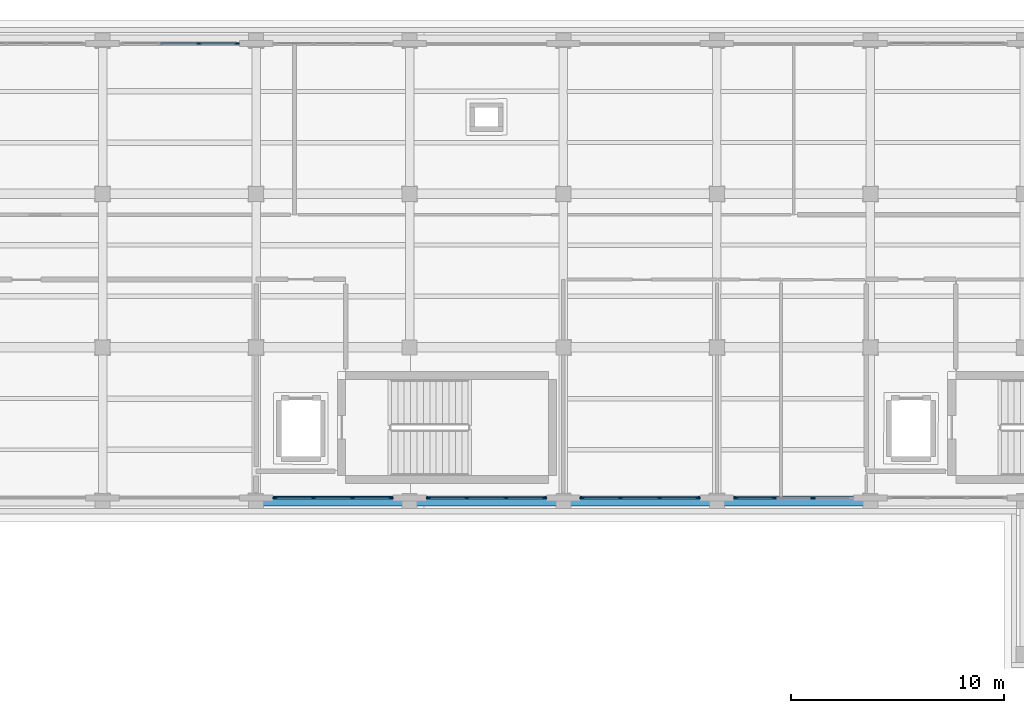
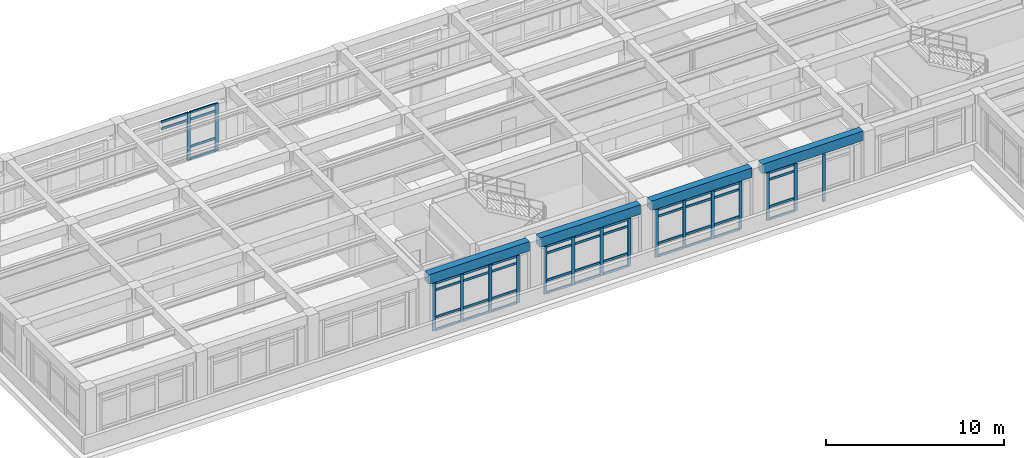
# One storey, part 24 of 64: 63 members, 4 beams, 5 elements without a shape of their own.
"""IFC4 building model written with IfcOpenShell, lengths in metres."""

from ifc_helpers import new_model, si_unit, direction, frame, origin, origin_2d, place, context, subcontext, project, spatial, rectangle, extrude, material, layer, layer_set, material_profile, profile_set, type_object, element, aggregate, save


model = new_model("IFC4")

# Units and contexts
model_context = context("Model", 3, precision=1e-05, world=origin(), true_north=direction((0.0, 1.0)))
body_context = subcontext(model_context, "Body", "Model", "MODEL_VIEW")
ifc_project = project(units=[si_unit("LENGTHUNIT", "METRE"), si_unit("AREAUNIT", "SQUARE_METRE"), si_unit("VOLUMEUNIT", "CUBIC_METRE"), si_unit("PLANEANGLEUNIT", "RADIAN"), si_unit("MASSUNIT", "GRAM", prefix="KILO")], contexts=[model_context])

# Site, building, storey
site_placement = place(None, origin())
site = spatial("IfcSite", under=ifc_project, at=site_placement, CompositionType="ELEMENT")
building_placement = place(site_placement, origin())
building = spatial("IfcBuilding", under=site, at=building_placement, Name="Solenvale Faculty of Natural Sciences", CompositionType="ELEMENT")
storey_placement = place(building_placement, frame((0.0, 0.0, 18.0)))
storey = spatial("IfcBuildingStorey", under=building, at=storey_placement, Name="L04", CompositionType="ELEMENT", Elevation=18.0)

# Beams
ifc_material_1 = material(Name="Concrete 40 MPa", Category="concrete")
ifc_material_profile_1 = material_profile(ifc_material_1, rectangle(XDim=0.449951171875, YDim=0.64990234375, at=origin_2d()), Name="RC-BM-450x650")
ifc_profile_set_1 = profile_set([ifc_material_profile_1], Name="Concrete 40 MPa")
beam_type = type_object("IfcBeamType", Name="BM-RC-450x650", PredefinedType="BEAM", material=ifc_profile_set_1)
for number, where, z_axis, x_axis, name in (
    (1, (101.1298828125, 93.60009765625, 3.89501953125), (1.0, 0.0, 0.0), (0.0, 1.0, 0.0), "L04 X-Girder Y93.6 (100.8..108.0)"),
    (2, (108.330078125, 93.60009765625, 3.89501953125), (1.0, 0.0, 0.0), (0.0, 1.0, 0.0), "L04 X-Girder Y93.6 (108.0..115.2)"),
    (3, (115.530029296875, 93.60009765625, 3.89501953125), (1.0, 0.0, 0.0), (0.0, 1.0, 0.0), "L04 X-Girder Y93.6 (115.2..122.4)"),
    (4, (122.72998046875, 93.60009765625, 3.89501953125), (1.0, 0.0, 0.0), (0.0, 1.0, 0.0), "L04 X-Girder Y93.6 (122.4..129.6)"),
):
    element("IfcBeam", number, at=place(storey_placement, frame(where, z_axis=z_axis, x_axis=x_axis)), inside=storey, type_object=beam_type, Name=name, PredefinedType="BEAM", context=body_context, shape_type="SweptSolid", body=[
        extrude(rectangle(XDim=0.449951171875, YDim=0.64990234375, at=origin_2d()), origin(), (0.0, 0.0, 1.0), 6.5400390625),
    ])

# Curtain wall, members
ifc_material_2 = material(Name="Anodised bronze aluminium", Category="aluminium")
ifc_layer = layer(ifc_material_2, 0.179931640625)
ifc_layer_set = layer_set([ifc_layer], Name="Anodised bronze aluminium")
curtain_wall_type = type_object("IfcCurtainWallType", Name="CW-TWR-MOD", PredefinedType="USERDEFINED", material=ifc_layer_set)
curtain_wall_1_placement = place(storey_placement, origin())
curtain_wall_1 = element("IfcCurtainWall", 5, at=curtain_wall_1_placement, inside=storey, type_object=curtain_wall_type, Name="L04 Curtain Wall CW-L04-P3-E4-B8", ObjectType="UNITISED CURTAIN WALL", PredefinedType="USERDEFINED")
ifc_material_profile_2 = material_profile(ifc_material_2, rectangle(XDim=0.074951171875, YDim=0.2099609375, at=origin_2d()), Name="ALU-MUL-75x210")
ifc_profile_set_2 = profile_set([ifc_material_profile_2], Name="Anodised bronze aluminium")
member_type_1 = type_object("IfcMemberType", Name="CWM-ALU-75x210", PredefinedType="MULLION", material=ifc_profile_set_2)
member_1_placement = place(storey_placement, frame((99.91259765625, 115.0576171875, 0.0), z_axis=(0.0, 0.0, 1.0), x_axis=(0.0, -1.0, 0.0)))
member_1 = element("IfcMember", 6, at=member_1_placement, type_object=member_type_1, Name="CW-04 mullion 1", PredefinedType="MULLION", context=body_context, shape_type="SweptSolid", body=[
    extrude(rectangle(XDim=0.074951171875, YDim=0.2099609375, at=origin_2d()), origin(), (0.0, 0.0, 1.0), 3.260009765625),
])
member_2_placement = place(storey_placement, frame((98.11669921875, 115.0576171875, 0.0), z_axis=(0.0, 0.0, 1.0), x_axis=(0.0, -1.0, 0.0)))
member_2 = element("IfcMember", 7, at=member_2_placement, type_object=member_type_1, Name="CW-04 mullion 2", PredefinedType="MULLION", context=body_context, shape_type="SweptSolid", body=[
    extrude(rectangle(XDim=0.074951171875, YDim=0.2099609375, at=origin_2d()), origin(), (0.0, 0.0, 1.0), 3.260009765625),
])

curtain_wall_2_placement = place(storey_placement, origin())
curtain_wall_2 = element("IfcCurtainWall", 8, at=curtain_wall_2_placement, inside=storey, type_object=curtain_wall_type, Name="L04 Curtain Wall CW-L04-P3-E6-B4", ObjectType="UNITISED CURTAIN WALL", PredefinedType="USERDEFINED")
member_3_placement = place(storey_placement, frame((101.6875, 93.742431640625, 0.0), z_axis=(0.0, 0.0, 1.0), x_axis=(0.0, 1.0, 0.0)))
member_3 = element("IfcMember", 9, at=member_3_placement, type_object=member_type_1, Name="CW-04 mullion 1", PredefinedType="MULLION", context=body_context, shape_type="SweptSolid", body=[
    extrude(rectangle(XDim=0.074951171875, YDim=0.2099609375, at=origin_2d()), origin(), (0.0, 0.0, 1.0), 3.260009765625),
])
member_4_placement = place(storey_placement, frame((103.4833984375, 93.742431640625, 0.0), z_axis=(0.0, 0.0, 1.0), x_axis=(0.0, 1.0, 0.0)))
member_4 = element("IfcMember", 10, at=member_4_placement, type_object=member_type_1, Name="CW-04 mullion 2", PredefinedType="MULLION", context=body_context, shape_type="SweptSolid", body=[
    extrude(rectangle(XDim=0.074951171875, YDim=0.2099609375, at=origin_2d()), origin(), (0.0, 0.0, 1.0), 3.260009765625),
])
member_5_placement = place(storey_placement, frame((105.316650390625, 93.742431640625, 0.0), z_axis=(0.0, 0.0, 1.0), x_axis=(0.0, 1.0, 0.0)))
member_5 = element("IfcMember", 11, at=member_5_placement, type_object=member_type_1, Name="CW-04 mullion 3", PredefinedType="MULLION", context=body_context, shape_type="SweptSolid", body=[
    extrude(rectangle(XDim=0.074951171875, YDim=0.2099609375, at=origin_2d()), origin(), (0.0, 0.0, 1.0), 3.260009765625),
])
member_6_placement = place(storey_placement, frame((107.112548828125, 93.742431640625, 0.0), z_axis=(0.0, 0.0, 1.0), x_axis=(0.0, 1.0, 0.0)))
member_6 = element("IfcMember", 12, at=member_6_placement, type_object=member_type_1, Name="CW-04 mullion 4", PredefinedType="MULLION", context=body_context, shape_type="SweptSolid", body=[
    extrude(rectangle(XDim=0.074951171875, YDim=0.2099609375, at=origin_2d()), origin(), (0.0, 0.0, 1.0), 3.260009765625),
])

curtain_wall_3_placement = place(storey_placement, origin())
curtain_wall_3 = element("IfcCurtainWall", 13, at=curtain_wall_3_placement, inside=storey, type_object=curtain_wall_type, Name="L04 Curtain Wall CW-L04-P3-E6-B5", ObjectType="UNITISED CURTAIN WALL", PredefinedType="USERDEFINED")
member_7_placement = place(storey_placement, frame((108.887451171875, 93.742431640625, 0.0), z_axis=(0.0, 0.0, 1.0), x_axis=(0.0, 1.0, 0.0)))
member_7 = element("IfcMember", 14, at=member_7_placement, type_object=member_type_1, Name="CW-04 mullion 1", PredefinedType="MULLION", context=body_context, shape_type="SweptSolid", body=[
    extrude(rectangle(XDim=0.074951171875, YDim=0.2099609375, at=origin_2d()), origin(), (0.0, 0.0, 1.0), 3.260009765625),
])
member_8_placement = place(storey_placement, frame((110.683349609375, 93.742431640625, 0.0), z_axis=(0.0, 0.0, 1.0), x_axis=(0.0, 1.0, 0.0)))
member_8 = element("IfcMember", 15, at=member_8_placement, type_object=member_type_1, Name="CW-04 mullion 2", PredefinedType="MULLION", context=body_context, shape_type="SweptSolid", body=[
    extrude(rectangle(XDim=0.074951171875, YDim=0.2099609375, at=origin_2d()), origin(), (0.0, 0.0, 1.0), 3.260009765625),
])
member_9_placement = place(storey_placement, frame((112.5166015625, 93.742431640625, 0.0), z_axis=(0.0, 0.0, 1.0), x_axis=(0.0, 1.0, 0.0)))
member_9 = element("IfcMember", 16, at=member_9_placement, type_object=member_type_1, Name="CW-04 mullion 3", PredefinedType="MULLION", context=body_context, shape_type="SweptSolid", body=[
    extrude(rectangle(XDim=0.074951171875, YDim=0.2099609375, at=origin_2d()), origin(), (0.0, 0.0, 1.0), 3.260009765625),
])
member_10_placement = place(storey_placement, frame((114.3125, 93.742431640625, 0.0), z_axis=(0.0, 0.0, 1.0), x_axis=(0.0, 1.0, 0.0)))
member_10 = element("IfcMember", 17, at=member_10_placement, type_object=member_type_1, Name="CW-04 mullion 4", PredefinedType="MULLION", context=body_context, shape_type="SweptSolid", body=[
    extrude(rectangle(XDim=0.074951171875, YDim=0.2099609375, at=origin_2d()), origin(), (0.0, 0.0, 1.0), 3.260009765625),
])

curtain_wall_4_placement = place(storey_placement, origin())
curtain_wall_4 = element("IfcCurtainWall", 18, at=curtain_wall_4_placement, inside=storey, type_object=curtain_wall_type, Name="L04 Curtain Wall CW-L04-P3-E6-B6", ObjectType="UNITISED CURTAIN WALL", PredefinedType="USERDEFINED")
member_11_placement = place(storey_placement, frame((116.08740234375, 93.742431640625, 0.0), z_axis=(0.0, 0.0, 1.0), x_axis=(0.0, 1.0, 0.0)))
member_11 = element("IfcMember", 19, at=member_11_placement, type_object=member_type_1, Name="CW-04 mullion 1", PredefinedType="MULLION", context=body_context, shape_type="SweptSolid", body=[
    extrude(rectangle(XDim=0.074951171875, YDim=0.2099609375, at=origin_2d()), origin(), (0.0, 0.0, 1.0), 3.260009765625),
])
member_12_placement = place(storey_placement, frame((117.88330078125, 93.742431640625, 0.0), z_axis=(0.0, 0.0, 1.0), x_axis=(0.0, 1.0, 0.0)))
member_12 = element("IfcMember", 20, at=member_12_placement, type_object=member_type_1, Name="CW-04 mullion 2", PredefinedType="MULLION", context=body_context, shape_type="SweptSolid", body=[
    extrude(rectangle(XDim=0.074951171875, YDim=0.2099609375, at=origin_2d()), origin(), (0.0, 0.0, 1.0), 3.260009765625),
])
member_13_placement = place(storey_placement, frame((119.716552734375, 93.742431640625, 0.0), z_axis=(0.0, 0.0, 1.0), x_axis=(0.0, 1.0, 0.0)))
member_13 = element("IfcMember", 21, at=member_13_placement, type_object=member_type_1, Name="CW-04 mullion 3", PredefinedType="MULLION", context=body_context, shape_type="SweptSolid", body=[
    extrude(rectangle(XDim=0.074951171875, YDim=0.2099609375, at=origin_2d()), origin(), (0.0, 0.0, 1.0), 3.260009765625),
])
member_14_placement = place(storey_placement, frame((121.512451171875, 93.742431640625, 0.0), z_axis=(0.0, 0.0, 1.0), x_axis=(0.0, 1.0, 0.0)))
member_14 = element("IfcMember", 22, at=member_14_placement, type_object=member_type_1, Name="CW-04 mullion 4", PredefinedType="MULLION", context=body_context, shape_type="SweptSolid", body=[
    extrude(rectangle(XDim=0.074951171875, YDim=0.2099609375, at=origin_2d()), origin(), (0.0, 0.0, 1.0), 3.260009765625),
])

curtain_wall_5_placement = place(storey_placement, origin())
curtain_wall_5 = element("IfcCurtainWall", 23, at=curtain_wall_5_placement, inside=storey, type_object=curtain_wall_type, Name="L04 Curtain Wall CW-L04-P3-E6-B7", ObjectType="UNITISED CURTAIN WALL", PredefinedType="USERDEFINED")
member_15_placement = place(storey_placement, frame((123.28759765625, 93.742431640625, 0.0), z_axis=(0.0, 0.0, 1.0), x_axis=(0.0, 1.0, 0.0)))
member_15 = element("IfcMember", 24, at=member_15_placement, type_object=member_type_1, Name="CW-04 mullion 1", PredefinedType="MULLION", context=body_context, shape_type="SweptSolid", body=[
    extrude(rectangle(XDim=0.074951171875, YDim=0.2099609375, at=origin_2d()), origin(), (0.0, 0.0, 1.0), 3.260009765625),
])
member_16_placement = place(storey_placement, frame((125.083251953125, 93.742431640625, 0.0), z_axis=(0.0, 0.0, 1.0), x_axis=(0.0, 1.0, 0.0)))
member_16 = element("IfcMember", 25, at=member_16_placement, type_object=member_type_1, Name="CW-04 mullion 2", PredefinedType="MULLION", context=body_context, shape_type="SweptSolid", body=[
    extrude(rectangle(XDim=0.074951171875, YDim=0.2099609375, at=origin_2d()), origin(), (0.0, 0.0, 1.0), 3.260009765625),
])
member_17_placement = place(storey_placement, frame((126.916748046875, 93.742431640625, 0.0), z_axis=(0.0, 0.0, 1.0), x_axis=(0.0, 1.0, 0.0)))
member_17 = element("IfcMember", 26, at=member_17_placement, type_object=member_type_1, Name="CW-04 mullion 3", PredefinedType="MULLION", context=body_context, shape_type="SweptSolid", body=[
    extrude(rectangle(XDim=0.074951171875, YDim=0.2099609375, at=origin_2d()), origin(), (0.0, 0.0, 1.0), 3.260009765625),
])

# Member
ifc_material_profile_3 = material_profile(ifc_material_2, rectangle(XDim=0.074951171875, YDim=0.155029296875, at=origin_2d()), Name="ALU-TRN-75x155")
ifc_profile_set_3 = profile_set([ifc_material_profile_3], Name="Anodised bronze aluminium")
member_type_2 = type_object("IfcMemberType", Name="CWT-ALU-75x155", PredefinedType="USERDEFINED", material=ifc_profile_set_3)
member_18_placement = place(storey_placement, frame((99.875, 115.0576171875, 0.03759765625), z_axis=(-1.0, 0.0, 0.0), x_axis=(0.0, -1.0, 0.0)))
member_18 = element("IfcMember", 27, at=member_18_placement, type_object=member_type_2, Name="CW-04 transom 1.1", ObjectType="TRANSOM", PredefinedType="USERDEFINED", context=body_context, shape_type="SweptSolid", body=[
    extrude(rectangle(XDim=0.074951171875, YDim=0.155029296875, at=origin_2d()), origin(), (0.0, 0.0, 1.0), 1.720947265625),
])

member_19_placement = place(storey_placement, frame((99.875, 115.0576171875, 0.89990234375), z_axis=(-1.0, 0.0, 0.0), x_axis=(0.0, -1.0, 0.0)))
member_19 = element("IfcMember", 28, at=member_19_placement, type_object=member_type_2, Name="CW-04 transom 1.2", ObjectType="TRANSOM", PredefinedType="USERDEFINED", context=body_context, shape_type="SweptSolid", body=[
    extrude(rectangle(XDim=0.074951171875, YDim=0.155029296875, at=origin_2d()), origin(), (0.0, 0.0, 1.0), 1.720947265625),
])

member_20_placement = place(storey_placement, frame((99.875, 115.0576171875, 2.760009765625), z_axis=(-1.0, 0.0, 0.0), x_axis=(0.0, -1.0, 0.0)))
member_20 = element("IfcMember", 29, at=member_20_placement, type_object=member_type_2, Name="CW-04 transom 1.3", ObjectType="TRANSOM", PredefinedType="USERDEFINED", context=body_context, shape_type="SweptSolid", body=[
    extrude(rectangle(XDim=0.074951171875, YDim=0.155029296875, at=origin_2d()), origin(), (0.0, 0.0, 1.0), 1.720947265625),
])

member_21_placement = place(storey_placement, frame((99.875, 115.0576171875, 3.222412109375), z_axis=(-1.0, 0.0, 0.0), x_axis=(0.0, -1.0, 0.0)))
member_21 = element("IfcMember", 30, at=member_21_placement, type_object=member_type_2, Name="CW-04 transom 1.4", ObjectType="TRANSOM", PredefinedType="USERDEFINED", context=body_context, shape_type="SweptSolid", body=[
    extrude(rectangle(XDim=0.074951171875, YDim=0.155029296875, at=origin_2d()), origin(), (0.0, 0.0, 1.0), 1.720947265625),
])

member_22_placement = place(storey_placement, frame((98.0791015625, 115.0576171875, 2.760009765625), z_axis=(-1.0, 0.0, 0.0), x_axis=(0.0, -1.0, 0.0)))
member_22 = element("IfcMember", 31, at=member_22_placement, type_object=member_type_2, Name="CW-04 transom 2.3", ObjectType="TRANSOM", PredefinedType="USERDEFINED", context=body_context, shape_type="SweptSolid", body=[
    extrude(rectangle(XDim=0.074951171875, YDim=0.155029296875, at=origin_2d()), origin(), (0.0, 0.0, 1.0), 1.75830078125),
])

member_23_placement = place(storey_placement, frame((98.0791015625, 115.0576171875, 3.222412109375), z_axis=(-1.0, 0.0, 0.0), x_axis=(0.0, -1.0, 0.0)))
member_23 = element("IfcMember", 32, at=member_23_placement, type_object=member_type_2, Name="CW-04 transom 2.4", ObjectType="TRANSOM", PredefinedType="USERDEFINED", context=body_context, shape_type="SweptSolid", body=[
    extrude(rectangle(XDim=0.074951171875, YDim=0.155029296875, at=origin_2d()), origin(), (0.0, 0.0, 1.0), 1.75830078125),
])

aggregate(curtain_wall_1, [member_1, member_2, member_18, member_19, member_20, member_21, member_22, member_23])

member_24_placement = place(storey_placement, frame((101.72509765625, 93.742431640625, 0.03759765625), z_axis=(1.0, 0.0, 0.0), x_axis=(0.0, 1.0, 0.0)))
member_24 = element("IfcMember", 33, at=member_24_placement, type_object=member_type_2, Name="CW-04 transom 1.1", ObjectType="TRANSOM", PredefinedType="USERDEFINED", context=body_context, shape_type="SweptSolid", body=[
    extrude(rectangle(XDim=0.074951171875, YDim=0.155029296875, at=origin_2d()), origin(), (0.0, 0.0, 1.0), 1.720703125),
])

member_25_placement = place(storey_placement, frame((101.72509765625, 93.742431640625, 0.89990234375), z_axis=(1.0, 0.0, 0.0), x_axis=(0.0, 1.0, 0.0)))
member_25 = element("IfcMember", 34, at=member_25_placement, type_object=member_type_2, Name="CW-04 transom 1.2", ObjectType="TRANSOM", PredefinedType="USERDEFINED", context=body_context, shape_type="SweptSolid", body=[
    extrude(rectangle(XDim=0.074951171875, YDim=0.155029296875, at=origin_2d()), origin(), (0.0, 0.0, 1.0), 1.720703125),
])

member_26_placement = place(storey_placement, frame((101.72509765625, 93.742431640625, 2.760009765625), z_axis=(1.0, 0.0, 0.0), x_axis=(0.0, 1.0, 0.0)))
member_26 = element("IfcMember", 35, at=member_26_placement, type_object=member_type_2, Name="CW-04 transom 1.3", ObjectType="TRANSOM", PredefinedType="USERDEFINED", context=body_context, shape_type="SweptSolid", body=[
    extrude(rectangle(XDim=0.074951171875, YDim=0.155029296875, at=origin_2d()), origin(), (0.0, 0.0, 1.0), 1.720703125),
])

member_27_placement = place(storey_placement, frame((101.72509765625, 93.742431640625, 3.222412109375), z_axis=(1.0, 0.0, 0.0), x_axis=(0.0, 1.0, 0.0)))
member_27 = element("IfcMember", 36, at=member_27_placement, type_object=member_type_2, Name="CW-04 transom 1.4", ObjectType="TRANSOM", PredefinedType="USERDEFINED", context=body_context, shape_type="SweptSolid", body=[
    extrude(rectangle(XDim=0.074951171875, YDim=0.155029296875, at=origin_2d()), origin(), (0.0, 0.0, 1.0), 1.720703125),
])

member_28_placement = place(storey_placement, frame((103.520751953125, 93.742431640625, 0.03759765625), z_axis=(1.0, 0.0, 0.0), x_axis=(0.0, 1.0, 0.0)))
member_28 = element("IfcMember", 37, at=member_28_placement, type_object=member_type_2, Name="CW-04 transom 2.1", ObjectType="TRANSOM", PredefinedType="USERDEFINED", context=body_context, shape_type="SweptSolid", body=[
    extrude(rectangle(XDim=0.074951171875, YDim=0.155029296875, at=origin_2d()), origin(), (0.0, 0.0, 1.0), 1.75830078125),
])

member_29_placement = place(storey_placement, frame((103.520751953125, 93.742431640625, 0.89990234375), z_axis=(1.0, 0.0, 0.0), x_axis=(0.0, 1.0, 0.0)))
member_29 = element("IfcMember", 38, at=member_29_placement, type_object=member_type_2, Name="CW-04 transom 2.2", ObjectType="TRANSOM", PredefinedType="USERDEFINED", context=body_context, shape_type="SweptSolid", body=[
    extrude(rectangle(XDim=0.074951171875, YDim=0.155029296875, at=origin_2d()), origin(), (0.0, 0.0, 1.0), 1.75830078125),
])

member_30_placement = place(storey_placement, frame((103.520751953125, 93.742431640625, 2.760009765625), z_axis=(1.0, 0.0, 0.0), x_axis=(0.0, 1.0, 0.0)))
member_30 = element("IfcMember", 39, at=member_30_placement, type_object=member_type_2, Name="CW-04 transom 2.3", ObjectType="TRANSOM", PredefinedType="USERDEFINED", context=body_context, shape_type="SweptSolid", body=[
    extrude(rectangle(XDim=0.074951171875, YDim=0.155029296875, at=origin_2d()), origin(), (0.0, 0.0, 1.0), 1.75830078125),
])

member_31_placement = place(storey_placement, frame((103.520751953125, 93.742431640625, 3.222412109375), z_axis=(1.0, 0.0, 0.0), x_axis=(0.0, 1.0, 0.0)))
member_31 = element("IfcMember", 40, at=member_31_placement, type_object=member_type_2, Name="CW-04 transom 2.4", ObjectType="TRANSOM", PredefinedType="USERDEFINED", context=body_context, shape_type="SweptSolid", body=[
    extrude(rectangle(XDim=0.074951171875, YDim=0.155029296875, at=origin_2d()), origin(), (0.0, 0.0, 1.0), 1.75830078125),
])

member_32_placement = place(storey_placement, frame((105.354248046875, 93.742431640625, 0.03759765625), z_axis=(1.0, 0.0, 0.0), x_axis=(0.0, 1.0, 0.0)))
member_32 = element("IfcMember", 41, at=member_32_placement, type_object=member_type_2, Name="CW-04 transom 3.1", ObjectType="TRANSOM", PredefinedType="USERDEFINED", context=body_context, shape_type="SweptSolid", body=[
    extrude(rectangle(XDim=0.074951171875, YDim=0.155029296875, at=origin_2d()), origin(), (0.0, 0.0, 1.0), 1.720703125),
])

member_33_placement = place(storey_placement, frame((105.354248046875, 93.742431640625, 0.89990234375), z_axis=(1.0, 0.0, 0.0), x_axis=(0.0, 1.0, 0.0)))
member_33 = element("IfcMember", 42, at=member_33_placement, type_object=member_type_2, Name="CW-04 transom 3.2", ObjectType="TRANSOM", PredefinedType="USERDEFINED", context=body_context, shape_type="SweptSolid", body=[
    extrude(rectangle(XDim=0.074951171875, YDim=0.155029296875, at=origin_2d()), origin(), (0.0, 0.0, 1.0), 1.720703125),
])

member_34_placement = place(storey_placement, frame((105.354248046875, 93.742431640625, 2.760009765625), z_axis=(1.0, 0.0, 0.0), x_axis=(0.0, 1.0, 0.0)))
member_34 = element("IfcMember", 43, at=member_34_placement, type_object=member_type_2, Name="CW-04 transom 3.3", ObjectType="TRANSOM", PredefinedType="USERDEFINED", context=body_context, shape_type="SweptSolid", body=[
    extrude(rectangle(XDim=0.074951171875, YDim=0.155029296875, at=origin_2d()), origin(), (0.0, 0.0, 1.0), 1.720703125),
])

member_35_placement = place(storey_placement, frame((105.354248046875, 93.742431640625, 3.222412109375), z_axis=(1.0, 0.0, 0.0), x_axis=(0.0, 1.0, 0.0)))
member_35 = element("IfcMember", 44, at=member_35_placement, type_object=member_type_2, Name="CW-04 transom 3.4", ObjectType="TRANSOM", PredefinedType="USERDEFINED", context=body_context, shape_type="SweptSolid", body=[
    extrude(rectangle(XDim=0.074951171875, YDim=0.155029296875, at=origin_2d()), origin(), (0.0, 0.0, 1.0), 1.720703125),
])

aggregate(curtain_wall_2, [member_3, member_4, member_5, member_6, member_24, member_25, member_26, member_27, member_28, member_29, member_30, member_31, member_32, member_33, member_34, member_35])

member_36_placement = place(storey_placement, frame((108.925048828125, 93.742431640625, 0.03759765625), z_axis=(1.0, 0.0, 0.0), x_axis=(0.0, 1.0, 0.0)))
member_36 = element("IfcMember", 45, at=member_36_placement, type_object=member_type_2, Name="CW-04 transom 1.1", ObjectType="TRANSOM", PredefinedType="USERDEFINED", context=body_context, shape_type="SweptSolid", body=[
    extrude(rectangle(XDim=0.074951171875, YDim=0.155029296875, at=origin_2d()), origin(), (0.0, 0.0, 1.0), 1.720703125),
])

member_37_placement = place(storey_placement, frame((108.925048828125, 93.742431640625, 0.89990234375), z_axis=(1.0, 0.0, 0.0), x_axis=(0.0, 1.0, 0.0)))
member_37 = element("IfcMember", 46, at=member_37_placement, type_object=member_type_2, Name="CW-04 transom 1.2", ObjectType="TRANSOM", PredefinedType="USERDEFINED", context=body_context, shape_type="SweptSolid", body=[
    extrude(rectangle(XDim=0.074951171875, YDim=0.155029296875, at=origin_2d()), origin(), (0.0, 0.0, 1.0), 1.720703125),
])

member_38_placement = place(storey_placement, frame((108.925048828125, 93.742431640625, 2.760009765625), z_axis=(1.0, 0.0, 0.0), x_axis=(0.0, 1.0, 0.0)))
member_38 = element("IfcMember", 47, at=member_38_placement, type_object=member_type_2, Name="CW-04 transom 1.3", ObjectType="TRANSOM", PredefinedType="USERDEFINED", context=body_context, shape_type="SweptSolid", body=[
    extrude(rectangle(XDim=0.074951171875, YDim=0.155029296875, at=origin_2d()), origin(), (0.0, 0.0, 1.0), 1.720703125),
])

member_39_placement = place(storey_placement, frame((108.925048828125, 93.742431640625, 3.222412109375), z_axis=(1.0, 0.0, 0.0), x_axis=(0.0, 1.0, 0.0)))
member_39 = element("IfcMember", 48, at=member_39_placement, type_object=member_type_2, Name="CW-04 transom 1.4", ObjectType="TRANSOM", PredefinedType="USERDEFINED", context=body_context, shape_type="SweptSolid", body=[
    extrude(rectangle(XDim=0.074951171875, YDim=0.155029296875, at=origin_2d()), origin(), (0.0, 0.0, 1.0), 1.720703125),
])

member_40_placement = place(storey_placement, frame((110.720947265625, 93.742431640625, 0.03759765625), z_axis=(1.0, 0.0, 0.0), x_axis=(0.0, 1.0, 0.0)))
member_40 = element("IfcMember", 49, at=member_40_placement, type_object=member_type_2, Name="CW-04 transom 2.1", ObjectType="TRANSOM", PredefinedType="USERDEFINED", context=body_context, shape_type="SweptSolid", body=[
    extrude(rectangle(XDim=0.074951171875, YDim=0.155029296875, at=origin_2d()), origin(), (0.0, 0.0, 1.0), 1.75830078125),
])

member_41_placement = place(storey_placement, frame((110.720947265625, 93.742431640625, 0.89990234375), z_axis=(1.0, 0.0, 0.0), x_axis=(0.0, 1.0, 0.0)))
member_41 = element("IfcMember", 50, at=member_41_placement, type_object=member_type_2, Name="CW-04 transom 2.2", ObjectType="TRANSOM", PredefinedType="USERDEFINED", context=body_context, shape_type="SweptSolid", body=[
    extrude(rectangle(XDim=0.074951171875, YDim=0.155029296875, at=origin_2d()), origin(), (0.0, 0.0, 1.0), 1.75830078125),
])

member_42_placement = place(storey_placement, frame((110.720947265625, 93.742431640625, 2.760009765625), z_axis=(1.0, 0.0, 0.0), x_axis=(0.0, 1.0, 0.0)))
member_42 = element("IfcMember", 51, at=member_42_placement, type_object=member_type_2, Name="CW-04 transom 2.3", ObjectType="TRANSOM", PredefinedType="USERDEFINED", context=body_context, shape_type="SweptSolid", body=[
    extrude(rectangle(XDim=0.074951171875, YDim=0.155029296875, at=origin_2d()), origin(), (0.0, 0.0, 1.0), 1.75830078125),
])

member_43_placement = place(storey_placement, frame((110.720947265625, 93.742431640625, 3.222412109375), z_axis=(1.0, 0.0, 0.0), x_axis=(0.0, 1.0, 0.0)))
member_43 = element("IfcMember", 52, at=member_43_placement, type_object=member_type_2, Name="CW-04 transom 2.4", ObjectType="TRANSOM", PredefinedType="USERDEFINED", context=body_context, shape_type="SweptSolid", body=[
    extrude(rectangle(XDim=0.074951171875, YDim=0.155029296875, at=origin_2d()), origin(), (0.0, 0.0, 1.0), 1.75830078125),
])

member_44_placement = place(storey_placement, frame((112.55419921875, 93.742431640625, 0.03759765625), z_axis=(1.0, 0.0, 0.0), x_axis=(0.0, 1.0, 0.0)))
member_44 = element("IfcMember", 53, at=member_44_placement, type_object=member_type_2, Name="CW-04 transom 3.1", ObjectType="TRANSOM", PredefinedType="USERDEFINED", context=body_context, shape_type="SweptSolid", body=[
    extrude(rectangle(XDim=0.074951171875, YDim=0.155029296875, at=origin_2d()), origin(), (0.0, 0.0, 1.0), 1.720703125),
])

member_45_placement = place(storey_placement, frame((112.55419921875, 93.742431640625, 0.89990234375), z_axis=(1.0, 0.0, 0.0), x_axis=(0.0, 1.0, 0.0)))
member_45 = element("IfcMember", 54, at=member_45_placement, type_object=member_type_2, Name="CW-04 transom 3.2", ObjectType="TRANSOM", PredefinedType="USERDEFINED", context=body_context, shape_type="SweptSolid", body=[
    extrude(rectangle(XDim=0.074951171875, YDim=0.155029296875, at=origin_2d()), origin(), (0.0, 0.0, 1.0), 1.720703125),
])

member_46_placement = place(storey_placement, frame((112.55419921875, 93.742431640625, 2.760009765625), z_axis=(1.0, 0.0, 0.0), x_axis=(0.0, 1.0, 0.0)))
member_46 = element("IfcMember", 55, at=member_46_placement, type_object=member_type_2, Name="CW-04 transom 3.3", ObjectType="TRANSOM", PredefinedType="USERDEFINED", context=body_context, shape_type="SweptSolid", body=[
    extrude(rectangle(XDim=0.074951171875, YDim=0.155029296875, at=origin_2d()), origin(), (0.0, 0.0, 1.0), 1.720703125),
])

member_47_placement = place(storey_placement, frame((112.55419921875, 93.742431640625, 3.222412109375), z_axis=(1.0, 0.0, 0.0), x_axis=(0.0, 1.0, 0.0)))
member_47 = element("IfcMember", 56, at=member_47_placement, type_object=member_type_2, Name="CW-04 transom 3.4", ObjectType="TRANSOM", PredefinedType="USERDEFINED", context=body_context, shape_type="SweptSolid", body=[
    extrude(rectangle(XDim=0.074951171875, YDim=0.155029296875, at=origin_2d()), origin(), (0.0, 0.0, 1.0), 1.720703125),
])

aggregate(curtain_wall_3, [member_7, member_8, member_9, member_10, member_36, member_37, member_38, member_39, member_40, member_41, member_42, member_43, member_44, member_45, member_46, member_47])

member_48_placement = place(storey_placement, frame((116.125, 93.742431640625, 0.03759765625), z_axis=(1.0, 0.0, 0.0), x_axis=(0.0, 1.0, 0.0)))
member_48 = element("IfcMember", 57, at=member_48_placement, type_object=member_type_2, Name="CW-04 transom 1.1", ObjectType="TRANSOM", PredefinedType="USERDEFINED", context=body_context, shape_type="SweptSolid", body=[
    extrude(rectangle(XDim=0.074951171875, YDim=0.155029296875, at=origin_2d()), origin(), (0.0, 0.0, 1.0), 1.720947265625),
])

member_49_placement = place(storey_placement, frame((116.125, 93.742431640625, 0.89990234375), z_axis=(1.0, 0.0, 0.0), x_axis=(0.0, 1.0, 0.0)))
member_49 = element("IfcMember", 58, at=member_49_placement, type_object=member_type_2, Name="CW-04 transom 1.2", ObjectType="TRANSOM", PredefinedType="USERDEFINED", context=body_context, shape_type="SweptSolid", body=[
    extrude(rectangle(XDim=0.074951171875, YDim=0.155029296875, at=origin_2d()), origin(), (0.0, 0.0, 1.0), 1.720947265625),
])

member_50_placement = place(storey_placement, frame((116.125, 93.742431640625, 2.760009765625), z_axis=(1.0, 0.0, 0.0), x_axis=(0.0, 1.0, 0.0)))
member_50 = element("IfcMember", 59, at=member_50_placement, type_object=member_type_2, Name="CW-04 transom 1.3", ObjectType="TRANSOM", PredefinedType="USERDEFINED", context=body_context, shape_type="SweptSolid", body=[
    extrude(rectangle(XDim=0.074951171875, YDim=0.155029296875, at=origin_2d()), origin(), (0.0, 0.0, 1.0), 1.720947265625),
])

member_51_placement = place(storey_placement, frame((116.125, 93.742431640625, 3.222412109375), z_axis=(1.0, 0.0, 0.0), x_axis=(0.0, 1.0, 0.0)))
member_51 = element("IfcMember", 60, at=member_51_placement, type_object=member_type_2, Name="CW-04 transom 1.4", ObjectType="TRANSOM", PredefinedType="USERDEFINED", context=body_context, shape_type="SweptSolid", body=[
    extrude(rectangle(XDim=0.074951171875, YDim=0.155029296875, at=origin_2d()), origin(), (0.0, 0.0, 1.0), 1.720947265625),
])

member_52_placement = place(storey_placement, frame((117.9208984375, 93.742431640625, 0.03759765625), z_axis=(1.0, 0.0, 0.0), x_axis=(0.0, 1.0, 0.0)))
member_52 = element("IfcMember", 61, at=member_52_placement, type_object=member_type_2, Name="CW-04 transom 2.1", ObjectType="TRANSOM", PredefinedType="USERDEFINED", context=body_context, shape_type="SweptSolid", body=[
    extrude(rectangle(XDim=0.074951171875, YDim=0.155029296875, at=origin_2d()), origin(), (0.0, 0.0, 1.0), 1.75830078125),
])

member_53_placement = place(storey_placement, frame((117.9208984375, 93.742431640625, 0.89990234375), z_axis=(1.0, 0.0, 0.0), x_axis=(0.0, 1.0, 0.0)))
member_53 = element("IfcMember", 62, at=member_53_placement, type_object=member_type_2, Name="CW-04 transom 2.2", ObjectType="TRANSOM", PredefinedType="USERDEFINED", context=body_context, shape_type="SweptSolid", body=[
    extrude(rectangle(XDim=0.074951171875, YDim=0.155029296875, at=origin_2d()), origin(), (0.0, 0.0, 1.0), 1.75830078125),
])

member_54_placement = place(storey_placement, frame((117.9208984375, 93.742431640625, 2.760009765625), z_axis=(1.0, 0.0, 0.0), x_axis=(0.0, 1.0, 0.0)))
member_54 = element("IfcMember", 63, at=member_54_placement, type_object=member_type_2, Name="CW-04 transom 2.3", ObjectType="TRANSOM", PredefinedType="USERDEFINED", context=body_context, shape_type="SweptSolid", body=[
    extrude(rectangle(XDim=0.074951171875, YDim=0.155029296875, at=origin_2d()), origin(), (0.0, 0.0, 1.0), 1.75830078125),
])

member_55_placement = place(storey_placement, frame((117.9208984375, 93.742431640625, 3.222412109375), z_axis=(1.0, 0.0, 0.0), x_axis=(0.0, 1.0, 0.0)))
member_55 = element("IfcMember", 64, at=member_55_placement, type_object=member_type_2, Name="CW-04 transom 2.4", ObjectType="TRANSOM", PredefinedType="USERDEFINED", context=body_context, shape_type="SweptSolid", body=[
    extrude(rectangle(XDim=0.074951171875, YDim=0.155029296875, at=origin_2d()), origin(), (0.0, 0.0, 1.0), 1.75830078125),
])

member_56_placement = place(storey_placement, frame((119.754150390625, 93.742431640625, 0.03759765625), z_axis=(1.0, 0.0, 0.0), x_axis=(0.0, 1.0, 0.0)))
member_56 = element("IfcMember", 65, at=member_56_placement, type_object=member_type_2, Name="CW-04 transom 3.1", ObjectType="TRANSOM", PredefinedType="USERDEFINED", context=body_context, shape_type="SweptSolid", body=[
    extrude(rectangle(XDim=0.074951171875, YDim=0.155029296875, at=origin_2d()), origin(), (0.0, 0.0, 1.0), 1.720947265625),
])

member_57_placement = place(storey_placement, frame((119.754150390625, 93.742431640625, 0.89990234375), z_axis=(1.0, 0.0, 0.0), x_axis=(0.0, 1.0, 0.0)))
member_57 = element("IfcMember", 66, at=member_57_placement, type_object=member_type_2, Name="CW-04 transom 3.2", ObjectType="TRANSOM", PredefinedType="USERDEFINED", context=body_context, shape_type="SweptSolid", body=[
    extrude(rectangle(XDim=0.074951171875, YDim=0.155029296875, at=origin_2d()), origin(), (0.0, 0.0, 1.0), 1.720947265625),
])

member_58_placement = place(storey_placement, frame((119.754150390625, 93.742431640625, 2.760009765625), z_axis=(1.0, 0.0, 0.0), x_axis=(0.0, 1.0, 0.0)))
member_58 = element("IfcMember", 67, at=member_58_placement, type_object=member_type_2, Name="CW-04 transom 3.3", ObjectType="TRANSOM", PredefinedType="USERDEFINED", context=body_context, shape_type="SweptSolid", body=[
    extrude(rectangle(XDim=0.074951171875, YDim=0.155029296875, at=origin_2d()), origin(), (0.0, 0.0, 1.0), 1.720947265625),
])

member_59_placement = place(storey_placement, frame((119.754150390625, 93.742431640625, 3.222412109375), z_axis=(1.0, 0.0, 0.0), x_axis=(0.0, 1.0, 0.0)))
member_59 = element("IfcMember", 68, at=member_59_placement, type_object=member_type_2, Name="CW-04 transom 3.4", ObjectType="TRANSOM", PredefinedType="USERDEFINED", context=body_context, shape_type="SweptSolid", body=[
    extrude(rectangle(XDim=0.074951171875, YDim=0.155029296875, at=origin_2d()), origin(), (0.0, 0.0, 1.0), 1.720947265625),
])

aggregate(curtain_wall_4, [member_11, member_12, member_13, member_14, member_48, member_49, member_50, member_51, member_52, member_53, member_54, member_55, member_56, member_57, member_58, member_59])

member_60_placement = place(storey_placement, frame((123.324951171875, 93.742431640625, 0.03759765625), z_axis=(1.0, 0.0, 0.0), x_axis=(0.0, 1.0, 0.0)))
member_60 = element("IfcMember", 69, at=member_60_placement, type_object=member_type_2, Name="CW-04 transom 1.1", ObjectType="TRANSOM", PredefinedType="USERDEFINED", context=body_context, shape_type="SweptSolid", body=[
    extrude(rectangle(XDim=0.074951171875, YDim=0.155029296875, at=origin_2d()), origin(), (0.0, 0.0, 1.0), 1.720947265625),
])

member_61_placement = place(storey_placement, frame((123.324951171875, 93.742431640625, 0.89990234375), z_axis=(1.0, 0.0, 0.0), x_axis=(0.0, 1.0, 0.0)))
member_61 = element("IfcMember", 70, at=member_61_placement, type_object=member_type_2, Name="CW-04 transom 1.2", ObjectType="TRANSOM", PredefinedType="USERDEFINED", context=body_context, shape_type="SweptSolid", body=[
    extrude(rectangle(XDim=0.074951171875, YDim=0.155029296875, at=origin_2d()), origin(), (0.0, 0.0, 1.0), 1.720947265625),
])

member_62_placement = place(storey_placement, frame((123.324951171875, 93.742431640625, 2.760009765625), z_axis=(1.0, 0.0, 0.0), x_axis=(0.0, 1.0, 0.0)))
member_62 = element("IfcMember", 71, at=member_62_placement, type_object=member_type_2, Name="CW-04 transom 1.3", ObjectType="TRANSOM", PredefinedType="USERDEFINED", context=body_context, shape_type="SweptSolid", body=[
    extrude(rectangle(XDim=0.074951171875, YDim=0.155029296875, at=origin_2d()), origin(), (0.0, 0.0, 1.0), 1.720947265625),
])

member_63_placement = place(storey_placement, frame((123.324951171875, 93.742431640625, 3.222412109375), z_axis=(1.0, 0.0, 0.0), x_axis=(0.0, 1.0, 0.0)))
member_63 = element("IfcMember", 72, at=member_63_placement, type_object=member_type_2, Name="CW-04 transom 1.4", ObjectType="TRANSOM", PredefinedType="USERDEFINED", context=body_context, shape_type="SweptSolid", body=[
    extrude(rectangle(XDim=0.074951171875, YDim=0.155029296875, at=origin_2d()), origin(), (0.0, 0.0, 1.0), 1.720947265625),
])

aggregate(curtain_wall_5, [member_15, member_16, member_17, member_60, member_61, member_62, member_63])

save(model, "model.ifc")
